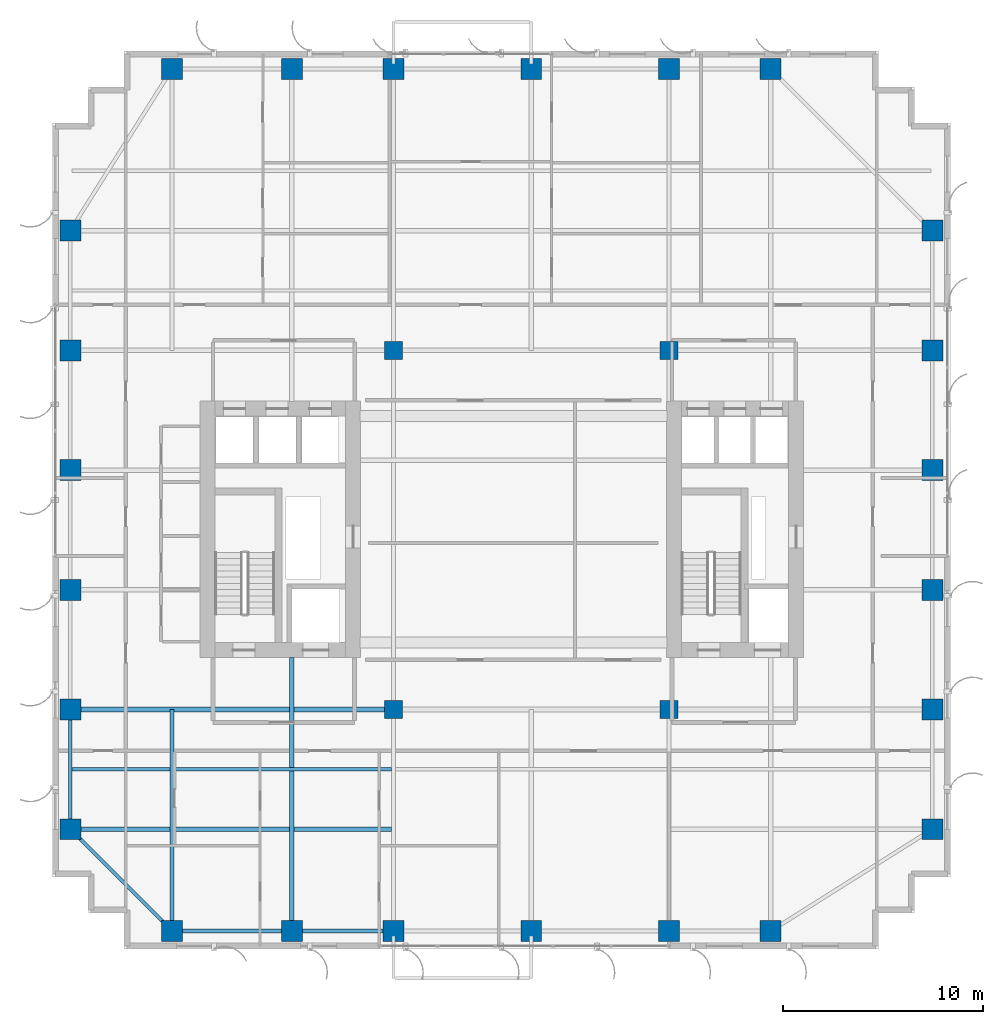
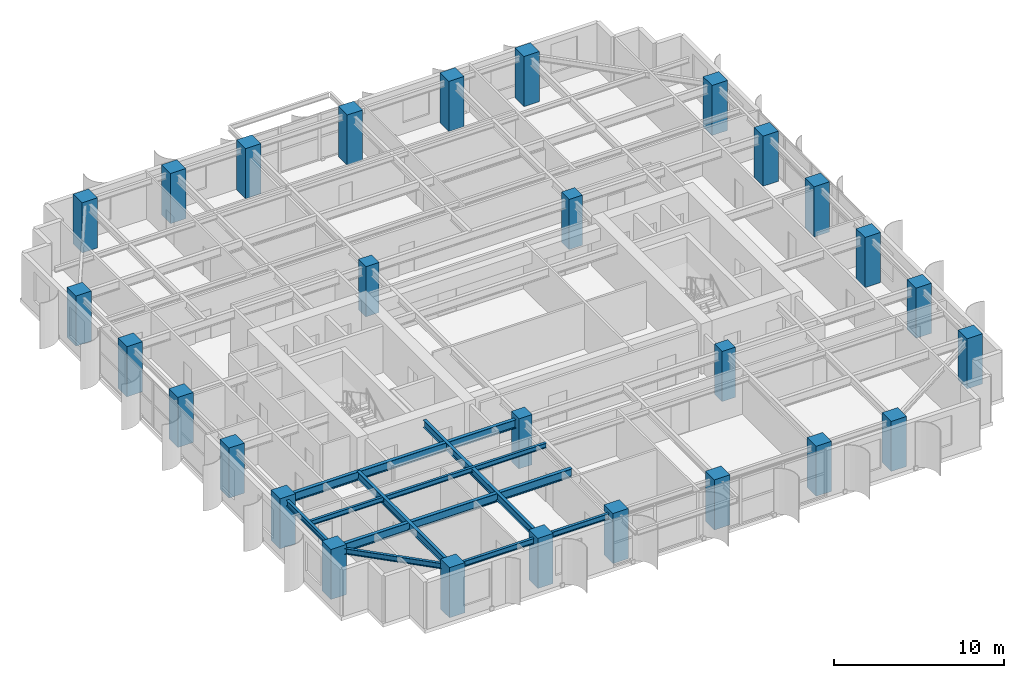
# One storey, part 1 of 23: 28 columns, 9 beams.
"""IFC4 building model written with IfcOpenShell, lengths in metres."""

from ifc_helpers import new_model, si_unit, direction, frame, origin, origin_2d, place, context, subcontext, project, spatial, rectangle, i_section, extrude, source, transform, mapped, material, material_profile, profile_set, type_object, element, save


model = new_model("IFC4")

# Units and contexts
model_context = context("Model", 3, precision=1e-05, world=origin(), true_north=direction((0.0, 1.0)))
body_context = subcontext(model_context, "Body", "Model", "MODEL_VIEW")
ifc_project = project(units=[si_unit("LENGTHUNIT", "METRE"), si_unit("AREAUNIT", "SQUARE_METRE"), si_unit("VOLUMEUNIT", "CUBIC_METRE"), si_unit("PLANEANGLEUNIT", "RADIAN"), si_unit("MASSUNIT", "GRAM", prefix="KILO")], contexts=[model_context])

# Site, building, storey
site_placement = place(None, origin())
site = spatial("IfcSite", under=ifc_project, at=site_placement, CompositionType="ELEMENT")
building_placement = place(site_placement, origin())
building = spatial("IfcBuilding", under=site, at=building_placement, Name="Khoralis Quay Care Tower", CompositionType="ELEMENT")
storey_placement = place(building_placement, frame((0.0, 0.0, 119.699951171875)))
storey = spatial("IfcBuildingStorey", under=building, at=storey_placement, Name="L31", CompositionType="ELEMENT", Elevation=119.699951171875)

# Columns
ifc_material_1 = material(Name="Concrete C65/80", Category="concrete")
ifc_material_profile_1 = material_profile(ifc_material_1, rectangle(XDim=1.050048828125, YDim=1.050048828125, at=origin_2d()), Name="Concrete C65/80")
ifc_profile_set_1 = profile_set([ifc_material_profile_1], Name="Concrete C65/80")
column_type_1 = type_object("IfcColumnType", Name="COL-C1050", PredefinedType="COLUMN", material=ifc_profile_set_1)
shared_shape_1 = source(origin(), body_context, "Body", "SweptSolid", [
    extrude(rectangle(XDim=1.050048828125, YDim=1.050048828125, at=origin_2d()), origin(), (0.0, 0.0, 1.0), 3.60009765625),
])
for number, where, z_axis, x_axis, name in (
    (1, (6.0, 0.89990234375, 0.0), (0.0, 0.0, 1.0), (1.0, 0.0, 0.0), "COL-TWR-L31-01"),
    (2, (6.0, 44.10009765625, 0.0), (0.0, 0.0, 1.0), (1.0, 0.0, 0.0), "COL-TWR-L31-02"),
    (3, (12.0, 0.89990234375, 0.0), (0.0, 0.0, 1.0), (1.0, 0.0, 0.0), "COL-TWR-L31-03"),
    (4, (12.0, 44.10009765625, 0.0), (0.0, 0.0, 1.0), (1.0, 0.0, 0.0), "COL-TWR-L31-04"),
    (5, (17.10009765625, 0.89990234375, 0.0), (0.0, 0.0, 1.0), (1.0, 0.0, 0.0), "COL-TWR-L31-05"),
    (6, (17.10009765625, 44.10009765625, 0.0), (0.0, 0.0, 1.0), (1.0, 0.0, 0.0), "COL-TWR-L31-06"),
    (7, (24.0, 0.89990234375, 0.0), (0.0, 0.0, 1.0), (1.0, 0.0, 0.0), "COL-TWR-L31-07"),
    (8, (24.0, 44.10009765625, 0.0), (0.0, 0.0, 1.0), (1.0, 0.0, 0.0), "COL-TWR-L31-08"),
    (9, (30.89990234375, 0.89990234375, 0.0), (0.0, 0.0, 1.0), (1.0, 0.0, 0.0), "COL-TWR-L31-09"),
    (10, (30.89990234375, 44.10009765625, 0.0), (0.0, 0.0, 1.0), (1.0, 0.0, 0.0), "COL-TWR-L31-10"),
    (11, (36.0, 0.89990234375, 0.0), (0.0, 0.0, 1.0), (1.0, 0.0, 0.0), "COL-TWR-L31-11"),
    (12, (36.0, 44.10009765625, 0.0), (0.0, 0.0, 1.0), (1.0, 0.0, 0.0), "COL-TWR-L31-12"),
    (13, (0.89990234375, 6.0, 0.0), (0.0, 0.0, 1.0), (1.0, 0.0, 0.0), "COL-TWR-L31-13"),
    (14, (44.10009765625, 6.0, 0.0), (0.0, 0.0, 1.0), (1.0, 0.0, 0.0), "COL-TWR-L31-14"),
    (15, (0.89990234375, 12.0, 0.0), (0.0, 0.0, 1.0), (1.0, 0.0, 0.0), "COL-TWR-L31-15"),
    (16, (44.10009765625, 12.0, 0.0), (0.0, 0.0, 1.0), (1.0, 0.0, 0.0), "COL-TWR-L31-16"),
    (17, (0.89990234375, 18.0, 0.0), (0.0, 0.0, 1.0), (1.0, 0.0, 0.0), "COL-TWR-L31-17"),
    (18, (44.10009765625, 18.0, 0.0), (0.0, 0.0, 1.0), (1.0, 0.0, 0.0), "COL-TWR-L31-18"),
    (19, (0.89990234375, 24.0, 0.0), (0.0, 0.0, 1.0), (1.0, 0.0, 0.0), "COL-TWR-L31-19"),
    (20, (44.10009765625, 24.0, 0.0), (0.0, 0.0, 1.0), (1.0, 0.0, 0.0), "COL-TWR-L31-20"),
    (21, (0.89990234375, 30.0, 0.0), (0.0, 0.0, 1.0), (1.0, 0.0, 0.0), "COL-TWR-L31-21"),
    (22, (44.10009765625, 30.0, 0.0), (0.0, 0.0, 1.0), (1.0, 0.0, 0.0), "COL-TWR-L31-22"),
    (23, (0.89990234375, 36.0, 0.0), (0.0, 0.0, 1.0), (1.0, 0.0, 0.0), "COL-TWR-L31-23"),
    (24, (44.10009765625, 36.0, 0.0), (0.0, 0.0, 1.0), (1.0, 0.0, 0.0), "COL-TWR-L31-24"),
):
    element("IfcColumn", number, at=place(storey_placement, frame(where, z_axis=z_axis, x_axis=x_axis)), inside=storey, type_object=column_type_1, Name=name, PredefinedType="COLUMN", context=body_context, shape_type="MappedRepresentation", body=[
        mapped(shared_shape_1, transform((0.0, 0.0, 0.0), scale=1.0)),
    ])
ifc_material_profile_2 = material_profile(ifc_material_1, rectangle(XDim=0.89990234375, YDim=0.89990234375, at=origin_2d()), Name="Concrete C65/80")
ifc_profile_set_2 = profile_set([ifc_material_profile_2], Name="Concrete C65/80")
column_type_2 = type_object("IfcColumnType", Name="COL-C900", PredefinedType="COLUMN", material=ifc_profile_set_2)
shared_shape_2 = source(origin(), body_context, "Body", "SweptSolid", [
    extrude(rectangle(XDim=0.89990234375, YDim=0.89990234375, at=origin_2d()), origin(), (0.0, 0.0, 1.0), 3.60009765625),
])
for number, where, z_axis, x_axis, name in (
    (25, (17.10009765625, 12.0, 0.0), (0.0, 0.0, 1.0), (1.0, 0.0, 0.0), "COL-TWR-L31-25"),
    (26, (17.10009765625, 30.0, 0.0), (0.0, 0.0, 1.0), (1.0, 0.0, 0.0), "COL-TWR-L31-26"),
    (27, (30.89990234375, 12.0, 0.0), (0.0, 0.0, 1.0), (1.0, 0.0, 0.0), "COL-TWR-L31-27"),
    (28, (30.89990234375, 30.0, 0.0), (0.0, 0.0, 1.0), (1.0, 0.0, 0.0), "COL-TWR-L31-28"),
):
    element("IfcColumn", number, at=place(storey_placement, frame(where, z_axis=z_axis, x_axis=x_axis)), inside=storey, type_object=column_type_2, Name=name, PredefinedType="COLUMN", context=body_context, shape_type="MappedRepresentation", body=[
        mapped(shared_shape_2, transform((0.0, 0.0, 0.0), scale=1.0)),
    ])

# Beams
ifc_material_2 = material(Name="Steel S355", Category="steel")
ifc_material_profile_3 = material_profile(ifc_material_2, i_section(OverallWidth=0.179931640625, OverallDepth=0.39990234375, WebThickness=0.008544921875, FlangeThickness=0.013427734375, FilletRadius=0.02099609375, at=origin_2d()), Name="Steel S355")
ifc_profile_set_3 = profile_set([ifc_material_profile_3], Name="Steel S355")
beam_type_1 = type_object("IfcBeamType", Name="BM-IPE400", PredefinedType="SPANDREL", material=ifc_profile_set_3)
shared_shape_3 = source(origin(), body_context, "Body", "SweptSolid", [
    extrude(i_section(OverallWidth=0.179931640625, OverallDepth=0.39990234375, WebThickness=0.008544921875, FlangeThickness=0.013427734375, FilletRadius=0.02099609375, at=origin_2d()), origin(), (0.0, 0.0, 1.0), 6.0),
])
for number, where, z_axis, x_axis, name in (
    (29, (6.0, 0.89990234375, 3.14013671875), (1.0, 0.0, 0.0), (0.0, 1.0, 0.0), "BM-TSP-L31-01"),
    (30, (0.89990234375, 6.0, 3.14013671875), (0.0, 1.0, 0.0), (-1.0, 0.0, 0.0), "BM-TSP-L31-11"),
):
    element("IfcBeam", number, at=place(storey_placement, frame(where, z_axis=z_axis, x_axis=x_axis)), inside=storey, type_object=beam_type_1, Name=name, PredefinedType="SPANDREL", context=body_context, shape_type="MappedRepresentation", body=[
        mapped(shared_shape_3, transform((0.0, 0.0, 0.0), scale=1.0)),
    ])
shared_shape_4 = source(origin(), body_context, "Body", "SweptSolid", [
    extrude(i_section(OverallWidth=0.179931640625, OverallDepth=0.39990234375, WebThickness=0.008544921875, FlangeThickness=0.013427734375, FilletRadius=0.02099609375, at=origin_2d()), origin(), (0.0, 0.0, 1.0), 5.10009765625),
])
beam_1_placement = place(storey_placement, frame((12.0, 0.89990234375, 3.14013671875), z_axis=(1.0, 0.0, 0.0), x_axis=(0.0, 1.0, 0.0)))
element("IfcBeam", 31, at=beam_1_placement, inside=storey, type_object=beam_type_1, Name="BM-TSP-L31-02", PredefinedType="SPANDREL", context=body_context, shape_type="MappedRepresentation", body=[
    mapped(shared_shape_4, transform((0.0, 0.0, 0.0), scale=1.0)),
])
shared_shape_5 = source(origin(), body_context, "Body", "SweptSolid", [
    extrude(i_section(OverallWidth=0.179931640625, OverallDepth=0.39990234375, WebThickness=0.008544921875, FlangeThickness=0.013427734375, FilletRadius=0.02099609375, at=origin_2d()), origin(), (0.0, 0.0, 1.0), 7.212646484375),
])
beam_2_placement = place(storey_placement, frame((6.0, 0.89990234375, 3.14013671875), z_axis=(-0.707106781187, 0.707106781187, 0.0), x_axis=(-0.707106781187, -0.707106781187, 0.0)))
element("IfcBeam", 32, at=beam_2_placement, inside=storey, type_object=beam_type_1, Name="BM-TCR-L31-21", PredefinedType="SPANDREL", context=body_context, shape_type="MappedRepresentation", body=[
    mapped(shared_shape_5, transform((0.0, 0.0, 0.0), scale=1.0)),
])
ifc_material_profile_4 = material_profile(ifc_material_2, i_section(OverallWidth=0.22998046875, OverallDepth=0.616943359375, WebThickness=0.01318359375, FlangeThickness=0.022216796875, FilletRadius=0.01806640625, at=origin_2d()), Name="Steel S355")
ifc_profile_set_4 = profile_set([ifc_material_profile_4], Name="Steel S355")
beam_type_2 = type_object("IfcBeamType", Name="BM-W610X140", PredefinedType="BEAM", material=ifc_profile_set_4)
shared_shape_6 = source(origin(), body_context, "Body", "SweptSolid", [
    extrude(i_section(OverallWidth=0.22998046875, OverallDepth=0.616943359375, WebThickness=0.01318359375, FlangeThickness=0.022216796875, FilletRadius=0.01806640625, at=origin_2d()), origin(), (0.0, 0.0, 1.0), 16.106201171875),
])
beam_3_placement = place(storey_placement, frame((0.89990234375, 6.0, 3.031494140625), z_axis=(1.0, 0.0, 0.0), x_axis=(0.0, 1.0, 0.0)))
element("IfcBeam", 33, at=beam_3_placement, inside=storey, type_object=beam_type_2, Name="BM-TGXW-L31-60", PredefinedType="BEAM", context=body_context, shape_type="MappedRepresentation", body=[
    mapped(shared_shape_6, transform((0.0, 0.0, 0.0), scale=1.0)),
])
shared_shape_7 = source(origin(), body_context, "Body", "SweptSolid", [
    extrude(i_section(OverallWidth=0.22998046875, OverallDepth=0.616943359375, WebThickness=0.01318359375, FlangeThickness=0.022216796875, FilletRadius=0.01806640625, at=origin_2d()), origin(), (0.0, 0.0, 1.0), 16.2001953125),
])
beam_4_placement = place(storey_placement, frame((0.89990234375, 12.0, 3.031494140625), z_axis=(1.0, 0.0, 0.0), x_axis=(0.0, 1.0, 0.0)))
element("IfcBeam", 34, at=beam_4_placement, inside=storey, type_object=beam_type_2, Name="BM-TGXW-L31-120", PredefinedType="BEAM", context=body_context, shape_type="MappedRepresentation", body=[
    mapped(shared_shape_7, transform((0.0, 0.0, 0.0), scale=1.0)),
])
ifc_material_profile_5 = material_profile(ifc_material_2, i_section(OverallWidth=0.2119140625, OverallDepth=0.5439453125, WebThickness=0.01318359375, FlangeThickness=0.021240234375, FilletRadius=0.01611328125, at=origin_2d()), Name="Steel S355")
ifc_profile_set_5 = profile_set([ifc_material_profile_5], Name="Steel S355")
beam_type_3 = type_object("IfcBeamType", Name="BM-W530X123", PredefinedType="BEAM", material=ifc_profile_set_5)
shared_shape_8 = source(origin(), body_context, "Body", "SweptSolid", [
    extrude(i_section(OverallWidth=0.2119140625, OverallDepth=0.5439453125, WebThickness=0.01318359375, FlangeThickness=0.021240234375, FilletRadius=0.01611328125, at=origin_2d()), origin(), (0.0, 0.0, 1.0), 11.10009765625),
])
beam_5_placement = place(storey_placement, frame((6.0, 0.89990234375, 3.068115234375), z_axis=(0.0, 1.0, 0.0), x_axis=(-1.0, 0.0, 0.0)))
element("IfcBeam", 35, at=beam_5_placement, inside=storey, type_object=beam_type_3, Name="BM-TGYS-L31-60", PredefinedType="BEAM", context=body_context, shape_type="MappedRepresentation", body=[
    mapped(shared_shape_8, transform((0.0, 0.0, 0.0), scale=1.0)),
])
shared_shape_9 = source(origin(), body_context, "Body", "SweptSolid", [
    extrude(i_section(OverallWidth=0.2119140625, OverallDepth=0.5439453125, WebThickness=0.01318359375, FlangeThickness=0.021240234375, FilletRadius=0.01611328125, at=origin_2d()), origin(), (0.0, 0.0, 1.0), 13.7021484375),
])
beam_6_placement = place(storey_placement, frame((12.0, 0.89990234375, 3.068115234375), z_axis=(0.0, 1.0, 0.0), x_axis=(-1.0, 0.0, 0.0)))
element("IfcBeam", 36, at=beam_6_placement, inside=storey, type_object=beam_type_3, Name="BM-TGYS-L31-120", PredefinedType="BEAM", context=body_context, shape_type="MappedRepresentation", body=[
    mapped(shared_shape_9, transform((0.0, 0.0, 0.0), scale=1.0)),
])
ifc_material_profile_6 = material_profile(ifc_material_2, i_section(OverallWidth=0.1708984375, OverallDepth=0.35498046875, WebThickness=0.007080078125, FlangeThickness=0.01171875, FilletRadius=0.012939453125, at=origin_2d()), Name="Steel S355")
ifc_profile_set_6 = profile_set([ifc_material_profile_6], Name="Steel S355")
beam_type_4 = type_object("IfcBeamType", Name="BM-W360X51", PredefinedType="JOIST", material=ifc_profile_set_6)
shared_shape_10 = source(origin(), body_context, "Body", "SweptSolid", [
    extrude(i_section(OverallWidth=0.1708984375, OverallDepth=0.35498046875, WebThickness=0.007080078125, FlangeThickness=0.01171875, FilletRadius=0.012939453125, at=origin_2d()), origin(), (0.0, 0.0, 1.0), 16.030029296875),
])
beam_7_placement = place(storey_placement, frame((0.97607421875, 9.0, 3.16259765625), z_axis=(1.0, 0.0, 0.0), x_axis=(0.0, 1.0, 0.0)))
element("IfcBeam", 37, at=beam_7_placement, inside=storey, type_object=beam_type_4, Name="BM-TJS-L31-25", PredefinedType="JOIST", context=body_context, shape_type="MappedRepresentation", body=[
    mapped(shared_shape_10, transform((0.0, 0.0, 0.0), scale=1.0)),
])

save(model, "model.ifc")
